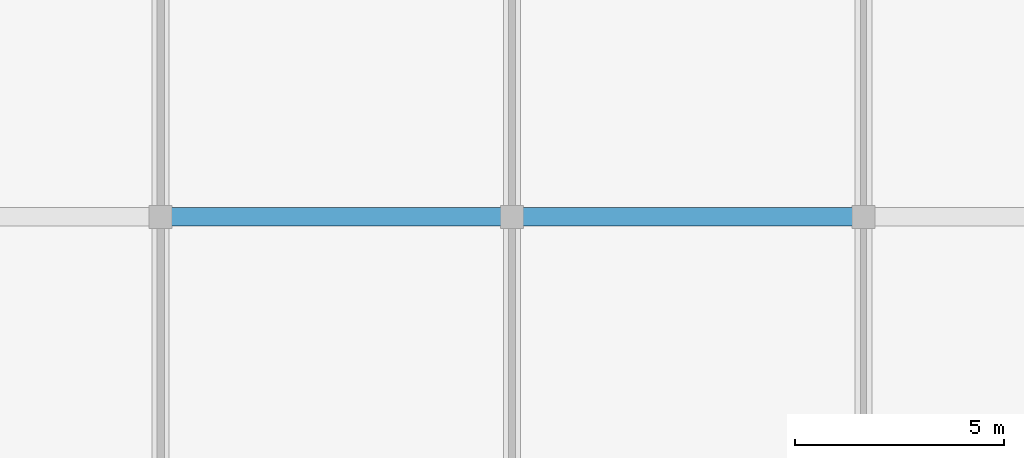
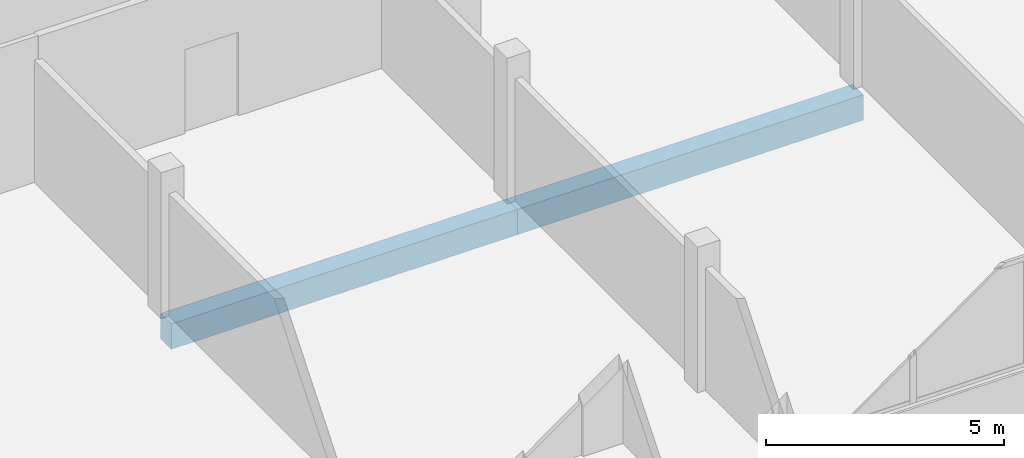
# One storey, part 30 of 67: 2 beams.
"""IFC4 building model written with IfcOpenShell, lengths in metres."""

import ifcopenshell
import ifcopenshell.guid

model = None  # the IFC model being written
_history = None  # IfcOwnerHistory: only IFC2X3 demands one
_inside = {}  # id of a spatial element -> (the spatial element, [elements in it])
_under = {}  # id of a project, library or spatial element -> (it, [spatial elements below it])
_declared = {}  # id of a project -> (the project, [libraries it declares])
_typed = {}  # id of a type object -> (the type object, [elements of that type])
_made_of = {}  # id of a material, layer set ... -> (it, [elements and type objects made of it])


def new_model(schema):
    """Start an empty IFC model of exactly this schema.

    Asked for "IFC4X3", IfcOpenShell would pick the latest addendum, in which some entities
    have other attributes; the version numbers below select the first issue.
    IFC2X3 requires an IfcOwnerHistory on every rooted entity: one is made here for all.
    """
    global model, _history
    if schema == "IFC4X3":
        model = ifcopenshell.file(schema_version=(4, 3, 0, 0))
    else:
        model = ifcopenshell.file(schema=schema)
    _inside.clear()
    _under.clear()
    _declared.clear()
    _typed.clear()
    _made_of.clear()
    _history = None
    if model.schema == "IFC2X3":
        org = make("IfcOrganization", Name="unknown")
        user = make(
            "IfcPersonAndOrganization",
            ThePerson=make("IfcPerson", FamilyName="unknown"),
            TheOrganization=org,
        )
        app = make(
            "IfcApplication",
            ApplicationDeveloper=org,
            Version="unknown",
            ApplicationFullName="unknown",
            ApplicationIdentifier="unknown",
        )
        _history = make(
            "IfcOwnerHistory",
            OwningUser=user,
            OwningApplication=app,
            ChangeAction="ADDED",
            CreationDate=0,
        )
    return model


def make(cls, **values):
    """One entity of the class cls with the attributes given. An attribute that is None is left unset."""
    return model.create_entity(
        cls, **{name: value for name, value in values.items() if value is not None}
    )


def rooted(cls, **values):
    """An entity with a GlobalId (a new one), such as an element, a storey or a relation."""
    return make(cls, GlobalId=ifcopenshell.guid.new(), OwnerHistory=_history, **values)


def si_unit(unit_type, name, prefix=None):
    """IfcSIUnit, for example si_unit("LENGTHUNIT", "METRE", prefix="MILLI")."""
    return make("IfcSIUnit", UnitType=unit_type, Prefix=prefix, Name=name)


def assignment(units):
    """IfcUnitAssignment: the units of a project."""
    return None if units is None else make("IfcUnitAssignment", Units=units)


def point(xyz):
    """IfcCartesianPoint."""
    return None if xyz is None else make("IfcCartesianPoint", Coordinates=xyz)


def direction(xyz):
    """IfcDirection."""
    return None if xyz is None else make("IfcDirection", DirectionRatios=xyz)


def frame(location, z_axis=None, x_axis=None):
    """IfcAxis2Placement3D, a coordinate frame: its origin and axes. An axis left out is left unset."""
    return make(
        "IfcAxis2Placement3D",
        Location=point(location),
        Axis=direction(z_axis),
        RefDirection=direction(x_axis),
    )


def frame_2d(location, x_axis=None):
    """IfcAxis2Placement2D, a coordinate frame in the plane: its origin and x axis."""
    return make(
        "IfcAxis2Placement2D", Location=point(location), RefDirection=direction(x_axis)
    )


def origin():
    """The frame at (0, 0, 0) with its axes left unset."""
    return frame((0.0, 0.0, 0.0))


def origin_2d():
    """The frame at (0, 0) in the plane with its x axis left unset."""
    return frame_2d((0.0, 0.0))


def place(relative_to, where):
    """IfcLocalPlacement: puts the frame where relative to a parent placement (None: the world)."""
    return make(
        "IfcLocalPlacement", PlacementRelTo=relative_to, RelativePlacement=where
    )


def context(
    kind, dimensions, precision=None, world=None, true_north=None, identifier=None
):
    """IfcGeometricRepresentationContext, for example the 3D "Model" context."""
    return make(
        "IfcGeometricRepresentationContext",
        ContextIdentifier=identifier,
        ContextType=kind,
        CoordinateSpaceDimension=dimensions,
        Precision=precision,
        WorldCoordinateSystem=world,
        TrueNorth=true_north,
    )


def subcontext(parent, identifier, kind, view, scale=None):
    """IfcGeometricRepresentationSubContext, for example "Body" below "Model"."""
    return make(
        "IfcGeometricRepresentationSubContext",
        ContextIdentifier=identifier,
        ContextType=kind,
        ParentContext=parent,
        TargetScale=scale,
        TargetView=view,
    )


def project(units=None, contexts=None):
    """IfcProject with its units and contexts."""
    return rooted(
        "IfcProject",
        Name="project",
        RepresentationContexts=contexts,
        UnitsInContext=assignment(units),
    )


def spatial(cls, under=None, at=None, **own):
    """A site, building, storey or space (cls), placed at a placement, below another one or the project."""
    s = rooted(cls, ObjectPlacement=at, **own)
    if under is not None:
        _under.setdefault(under.id(), (under, []))[1].append(s)
    return s


def profile(cls, at=None, kind="AREA", **sizes):
    """A parametric profile (cls). Its sizes go by their IFC names, for example OverallWidth=200.0."""
    return make(cls, ProfileType=kind, Position=at, **sizes)


def rectangle(**sizes):
    """IfcRectangleProfileDef."""
    return profile("IfcRectangleProfileDef", **sizes)


def extrude(swept, where, along, depth):
    """IfcExtrudedAreaSolid: the profile swept, set in the frame where, extruded along a direction by depth."""
    return make(
        "IfcExtrudedAreaSolid",
        SweptArea=swept,
        Position=where,
        ExtrudedDirection=direction(along),
        Depth=depth,
    )


def shape(context_of_items, identifier, shape_type, items):
    """IfcShapeRepresentation: the items that make up one representation, for example the "Body"."""
    return make(
        "IfcShapeRepresentation",
        ContextOfItems=context_of_items,
        RepresentationIdentifier=identifier,
        RepresentationType=shape_type,
        Items=items,
    )


def material(Name=None, Category=None):
    """IfcMaterial."""
    return make("IfcMaterial", Name=Name, Category=Category)


def material_profile(
    of_material, cross_section, Name=None, Category=None, Priority=None
):
    """IfcMaterialProfile: a cross section and its material."""
    return make(
        "IfcMaterialProfile",
        Name=Name,
        Material=of_material,
        Profile=cross_section,
        Priority=Priority,
        Category=Category,
    )


def profile_set(profiles, Name=None, composite=None):
    """IfcMaterialProfileSet."""
    return make(
        "IfcMaterialProfileSet",
        Name=Name,
        MaterialProfiles=profiles,
        CompositeProfile=composite,
    )


def made_of(thing, what):
    """Note that an element or type object is made of a material, layer set ...; save() writes the relation."""
    if what is not None:
        _made_of.setdefault(what.id(), (what, []))[1].append(thing)
    return thing


def type_object(cls, material=None, **own):
    """A type object (cls), such as IfcWallType, which elements share."""
    return made_of(rooted(cls, **own), material)


def element(
    cls,
    number,
    at=None,
    inside=None,
    cuts=None,
    type_object=None,
    material=None,
    context=None,
    identifier="Body",
    shape_type=None,
    held_by="IfcProductDefinitionShape",
    body=None,
    shapes=None,
    **own,
):
    """One element of the class cls, such as IfcWall. Its Tag is "e" and its number.

    at: its placement. inside: the storey or other place that contains it. cuts: it is an
    opening in that element (IfcRelVoidsElement). A single representation is given by context,
    identifier, shape_type and body (its items); several are given by shapes. held_by: the class
    of the entity that holds the representations. save() writes the other relations.
    """
    e = rooted(cls, Tag="e%d" % number, ObjectPlacement=at, **own)
    if body is not None:
        shapes = [shape(context, identifier, shape_type, body)]
    if shapes is not None:
        e.Representation = make(held_by, Representations=shapes)
    if inside is not None:
        _inside.setdefault(inside.id(), (inside, []))[1].append(e)
    if cuts is not None:
        rooted(
            "IfcRelVoidsElement", RelatingBuildingElement=cuts, RelatedOpeningElement=e
        )
    if type_object is not None:
        _typed.setdefault(type_object.id(), (type_object, []))[1].append(e)
    return made_of(e, material)


def aggregate(whole, parts):
    """IfcRelAggregates: a whole, such as a stair, and the parts it consists of."""
    return rooted("IfcRelAggregates", RelatingObject=whole, RelatedObjects=parts)


def save(model, path):
    """Write the relations noted so far, then the file.

    IfcRelAggregates (storeys below a building ...), IfcRelContainedInSpatialStructure (elements
    in a storey), IfcRelDefinesByType, IfcRelAssociatesMaterial and IfcRelDeclares: one each for
    every whole, place, type object, material and project.
    """
    for whole, parts in _under.values():
        aggregate(whole, parts)
    for where, things in _inside.values():
        rooted(
            "IfcRelContainedInSpatialStructure",
            RelatedElements=things,
            RelatingStructure=where,
        )
    for kind, things in _typed.values():
        rooted("IfcRelDefinesByType", RelatedObjects=things, RelatingType=kind)
    for what, things in _made_of.values():
        rooted("IfcRelAssociatesMaterial", RelatedObjects=things, RelatingMaterial=what)
    for by, libraries in _declared.values():
        rooted("IfcRelDeclares", RelatingContext=by, RelatedDefinitions=libraries)
    model.write(path)


model = new_model("IFC4")

# Units and contexts
model_context = context("Model", 3, precision=1e-05, world=origin(), true_north=direction((0.0, 1.0)))
body_context = subcontext(model_context, "Body", "Model", "MODEL_VIEW")
ifc_project = project(units=[si_unit("LENGTHUNIT", "METRE"), si_unit("AREAUNIT", "SQUARE_METRE"), si_unit("VOLUMEUNIT", "CUBIC_METRE"), si_unit("PLANEANGLEUNIT", "RADIAN"), si_unit("MASSUNIT", "GRAM", prefix="KILO")], contexts=[model_context])

# Site, building, storey
site_placement = place(None, origin())
site = spatial("IfcSite", under=ifc_project, at=site_placement, CompositionType="ELEMENT")
building_placement = place(site_placement, origin())
building = spatial("IfcBuilding", under=site, at=building_placement, Name="Selatvlak General Hospital", CompositionType="ELEMENT")
storey_placement = place(building_placement, frame((0.0, 0.0, 35.39990234375)))
storey = spatial("IfcBuildingStorey", under=building, at=storey_placement, Name="L08", CompositionType="ELEMENT", Elevation=35.39990234375)

# Beams
ifc_material = material(Name="Concrete C40/50", Category="concrete")
ifc_material_profile = material_profile(ifc_material, rectangle(XDim=0.449951171875, YDim=0.64990234375, at=origin_2d()), Name="RC-BM 450x650")
ifc_profile_set = profile_set([ifc_material_profile], Name="Concrete C40/50")
beam_type = type_object("IfcBeamType", Name="BM-G04", PredefinedType="BEAM", material=ifc_profile_set)
beam_1_placement = place(storey_placement, frame((90.0, 100.0, -0.58984375), z_axis=(1.0, 0.0, 0.0), x_axis=(0.0, 1.0, 0.0)))
element("IfcBeam", 1, at=beam_1_placement, inside=storey, type_object=beam_type, Name="Beam BMR-L08-2595", PredefinedType="BEAM", context=body_context, shape_type="SweptSolid", body=[
    extrude(rectangle(XDim=0.449951171875, YDim=0.64990234375, at=origin_2d()), origin(), (0.0, 0.0, 1.0), 8.39990234375),
])
beam_2_placement = place(storey_placement, frame((98.39990234375, 100.0, -0.58984375), z_axis=(1.0, 0.0, 0.0), x_axis=(0.0, 1.0, 0.0)))
element("IfcBeam", 2, at=beam_2_placement, inside=storey, type_object=beam_type, Name="Beam BMR-L08-2596", PredefinedType="BEAM", context=body_context, shape_type="SweptSolid", body=[
    extrude(rectangle(XDim=0.449951171875, YDim=0.64990234375, at=origin_2d()), origin(), (0.0, 0.0, 1.0), 8.400146484375),
])

save(model, "model.ifc")
